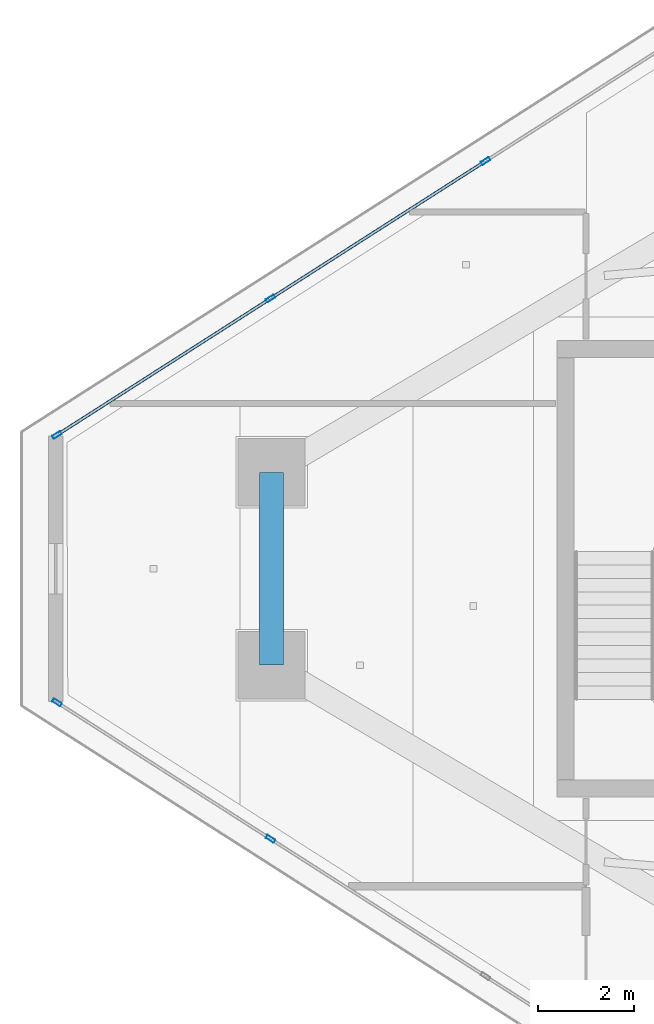
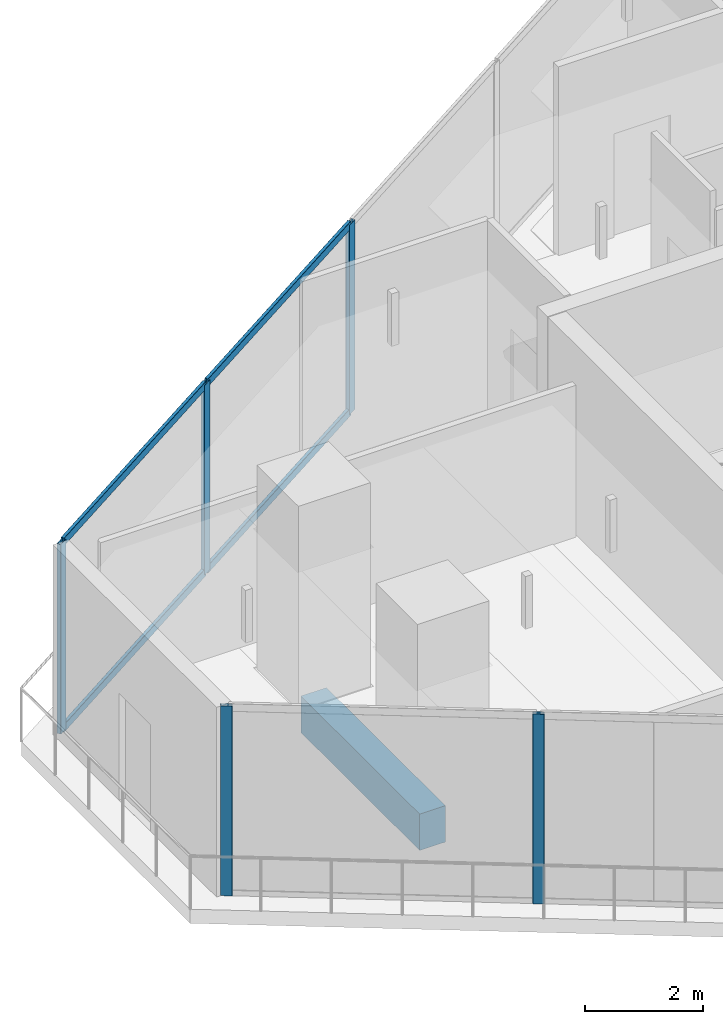
# One storey, part 5 of 25: 9 members, 1 beam, 2 elements without a shape of their own.
"""IFC4 building model written with IfcOpenShell, lengths in metres."""

from ifc_helpers import new_model, si_unit, direction, frame, origin, origin_2d, place, context, subcontext, project, spatial, rectangle, hollow_rectangle, extrude, material, layer, layer_set, material_profile, profile_set, type_object, element, aggregate, save


model = new_model("IFC4")

# Units and contexts
model_context = context("Model", 3, precision=1e-05, world=origin(), true_north=direction((0.0, 1.0)))
body_context = subcontext(model_context, "Body", "Model", "MODEL_VIEW")
ifc_project = project(units=[si_unit("LENGTHUNIT", "METRE"), si_unit("AREAUNIT", "SQUARE_METRE"), si_unit("VOLUMEUNIT", "CUBIC_METRE"), si_unit("PLANEANGLEUNIT", "RADIAN"), si_unit("MASSUNIT", "GRAM", prefix="KILO")], contexts=[model_context])

# Site, building, storey
site_placement = place(None, origin())
site = spatial("IfcSite", under=ifc_project, at=site_placement, CompositionType="ELEMENT")
building_placement = place(site_placement, origin())
building = spatial("IfcBuilding", under=site, at=building_placement, Name="Qorvath Tower", CompositionType="ELEMENT")
storey_placement = place(building_placement, frame((0.0, 0.0, 306.0)))
storey = spatial("IfcBuildingStorey", under=building, at=storey_placement, Name="L71", CompositionType="ELEMENT", Elevation=306.0)

# Beam
ifc_material_1 = material(Name="Concrete C45/55", Category="concrete")
ifc_material_profile_1 = material_profile(ifc_material_1, rectangle(XDim=0.5, YDim=0.75, at=origin_2d()), Name="RCB 750x500")
ifc_profile_set_1 = profile_set([ifc_material_profile_1], Name="Concrete C45/55")
beam_type = type_object("IfcBeamType", Name="BM-RCB3", PredefinedType="SPANDREL", material=ifc_profile_set_1)
beam_placement = place(storey_placement, frame((-44.402587890625, 2.007568359375, -0.6650390625), z_axis=(0.0, -1.0, 0.0), x_axis=(1.0, 0.0, 0.0)))
element("IfcBeam", 1, at=beam_placement, inside=storey, type_object=beam_type, Name="Perimeter Loggia Frame Beam MC1-MC2 L71", PredefinedType="SPANDREL", context=body_context, shape_type="SweptSolid", body=[
    extrude(rectangle(XDim=0.5, YDim=0.75, at=origin_2d()), origin(), (0.0, 0.0, 1.0), 4.01513671875),
])

# Curtain wall, members
ifc_material_2 = material(Name="Anodised aluminium and triple low-E glass", Category="aluminium")
ifc_layer = layer(ifc_material_2, 0.179931640625)
ifc_layer_set = layer_set([ifc_layer], Name="CW-SYS-4")
curtain_wall_type = type_object("IfcCurtainWallType", Name="CW-SYS-4", PredefinedType="NOTDEFINED", material=ifc_layer_set)
curtain_wall_1_placement = place(storey_placement, origin())
curtain_wall_1 = element("IfcCurtainWall", 2, at=curtain_wall_1_placement, inside=storey, type_object=curtain_wall_type, Name="Curtain Wall CW-4 CW-T-L71-2.1", PredefinedType="NOTDEFINED")
ifc_material_3 = material(Name="Anodised aluminium 6063-T6", Category="aluminium")
ifc_material_profile_2 = material_profile(ifc_material_3, hollow_rectangle(XDim=0.074951171875, YDim=0.199951171875, WallThickness=0.00390625, InnerFilletRadius=0.00390625, OuterFilletRadius=0.008056640625, at=origin_2d()), Name="CWM 200x75")
ifc_profile_set_2 = profile_set([ifc_material_profile_2], Name="Anodised aluminium 6063-T6")
member_type_1 = type_object("IfcMemberType", Name="CWM-200", PredefinedType="MULLION", material=ifc_profile_set_2)
member_1_placement = place(storey_placement, frame((-48.868408203125, -2.7841796875, 0.0), z_axis=(0.0, 0.0, 1.0), x_axis=(0.538537259419, 0.842601697255, 0.0)))
member_1 = element("IfcMember", 3, at=member_1_placement, type_object=member_type_1, Name="CW-4 mullion 1", PredefinedType="MULLION", context=body_context, shape_type="SweptSolid", body=[
    extrude(hollow_rectangle(XDim=0.074951171875, YDim=0.199951171875, WallThickness=0.00390625, InnerFilletRadius=0.00390625, OuterFilletRadius=0.008056640625, at=origin_2d()), origin(), (0.0, 0.0, 1.0), 3.909912109375),
])
member_2_placement = place(storey_placement, frame((-44.42431640625, -5.62451171875, 0.0), z_axis=(0.0, 0.0, 1.0), x_axis=(0.538537259419, 0.842601697255, 0.0)))
member_2 = element("IfcMember", 4, at=member_2_placement, type_object=member_type_1, Name="CW-4 mullion 2", PredefinedType="MULLION", context=body_context, shape_type="SweptSolid", body=[
    extrude(hollow_rectangle(XDim=0.074951171875, YDim=0.199951171875, WallThickness=0.00390625, InnerFilletRadius=0.00390625, OuterFilletRadius=0.008056640625, at=origin_2d()), origin(), (0.0, 0.0, 1.0), 3.909912109375),
])
aggregate(curtain_wall_1, [member_1, member_2])

curtain_wall_2_placement = place(storey_placement, origin())
curtain_wall_2 = element("IfcCurtainWall", 5, at=curtain_wall_2_placement, inside=storey, type_object=curtain_wall_type, Name="Curtain Wall CW-4 CW-T-L71-16.2", PredefinedType="NOTDEFINED")
member_3_placement = place(storey_placement, frame((-39.948486328125, 8.485107421875, 0.0), z_axis=(0.0, 0.0, 1.0), x_axis=(0.538537259419, -0.842601697255, 0.0)))
member_3 = element("IfcMember", 6, at=member_3_placement, type_object=member_type_1, Name="CW-4 mullion 3", PredefinedType="MULLION", context=body_context, shape_type="SweptSolid", body=[
    extrude(hollow_rectangle(XDim=0.074951171875, YDim=0.199951171875, WallThickness=0.00390625, InnerFilletRadius=0.00390625, OuterFilletRadius=0.008056640625, at=origin_2d()), origin(), (0.0, 0.0, 1.0), 3.909912109375),
])
member_4_placement = place(storey_placement, frame((-44.42431640625, 5.62451171875, 0.0), z_axis=(0.0, 0.0, 1.0), x_axis=(0.538537259419, -0.842601697255, 0.0)))
member_4 = element("IfcMember", 7, at=member_4_placement, type_object=member_type_1, Name="CW-4 mullion 4", PredefinedType="MULLION", context=body_context, shape_type="SweptSolid", body=[
    extrude(hollow_rectangle(XDim=0.074951171875, YDim=0.199951171875, WallThickness=0.00390625, InnerFilletRadius=0.00390625, OuterFilletRadius=0.008056640625, at=origin_2d()), origin(), (0.0, 0.0, 1.0), 3.909912109375),
])
member_5_placement = place(storey_placement, frame((-48.868408203125, 2.7841796875, 0.0), z_axis=(0.0, 0.0, 1.0), x_axis=(0.538537259419, -0.842601697255, 0.0)))
member_5 = element("IfcMember", 8, at=member_5_placement, type_object=member_type_1, Name="CW-4 mullion 5", PredefinedType="MULLION", context=body_context, shape_type="SweptSolid", body=[
    extrude(hollow_rectangle(XDim=0.074951171875, YDim=0.199951171875, WallThickness=0.00390625, InnerFilletRadius=0.00390625, OuterFilletRadius=0.008056640625, at=origin_2d()), origin(), (0.0, 0.0, 1.0), 3.909912109375),
])
ifc_material_4 = material(Name="Anodised aluminium 6063-T6", Category="aluminium")
ifc_material_profile_3 = material_profile(ifc_material_4, hollow_rectangle(XDim=0.06494140625, YDim=0.159912109375, WallThickness=0.00341796875, InnerFilletRadius=0.00341796875, OuterFilletRadius=0.007080078125, at=origin_2d()), Name="CWT 160x65")
ifc_profile_set_3 = profile_set([ifc_material_profile_3], Name="Anodised aluminium 6063-T6")
member_type_2 = type_object("IfcMemberType", Name="CWT-160", PredefinedType="USERDEFINED", material=ifc_profile_set_3)
member_6_placement = place(storey_placement, frame((-39.980224609375, 8.46484375, 0.032470703125), z_axis=(-0.842582843317, -0.538566757373, 0.0), x_axis=(0.538566757373, -0.842582843317, 0.0)))
member_6 = element("IfcMember", 9, at=member_6_placement, type_object=member_type_2, Name="CW-4 transom 3.1", ObjectType="TRANSOM", PredefinedType="USERDEFINED", context=body_context, shape_type="SweptSolid", body=[
    extrude(hollow_rectangle(XDim=0.06494140625, YDim=0.159912109375, WallThickness=0.00341796875, InnerFilletRadius=0.00341796875, OuterFilletRadius=0.007080078125, at=origin_2d()), origin(), (0.0, 0.0, 1.0), 5.23681640625),
])
member_7_placement = place(storey_placement, frame((-39.980224609375, 8.46484375, 3.87744140625), z_axis=(-0.842582843317, -0.538566757373, 0.0), x_axis=(0.538566757373, -0.842582843317, 0.0)))
member_7 = element("IfcMember", 10, at=member_7_placement, type_object=member_type_2, Name="CW-4 transom 3.2", ObjectType="TRANSOM", PredefinedType="USERDEFINED", context=body_context, shape_type="SweptSolid", body=[
    extrude(hollow_rectangle(XDim=0.06494140625, YDim=0.159912109375, WallThickness=0.00341796875, InnerFilletRadius=0.00341796875, OuterFilletRadius=0.007080078125, at=origin_2d()), origin(), (0.0, 0.0, 1.0), 5.23681640625),
])
member_8_placement = place(storey_placement, frame((-44.455810546875, 5.604248046875, 0.032470703125), z_axis=(-0.842594457649, -0.538548586423, 0.0), x_axis=(0.538548586423, -0.842594457649, 0.0)))
member_8 = element("IfcMember", 11, at=member_8_placement, type_object=member_type_2, Name="CW-4 transom 4.1", ObjectType="TRANSOM", PredefinedType="USERDEFINED", context=body_context, shape_type="SweptSolid", body=[
    extrude(hollow_rectangle(XDim=0.06494140625, YDim=0.159912109375, WallThickness=0.00341796875, InnerFilletRadius=0.00341796875, OuterFilletRadius=0.007080078125, at=origin_2d()), origin(), (0.0, 0.0, 1.0), 5.19921875),
])
member_9_placement = place(storey_placement, frame((-44.455810546875, 5.604248046875, 3.87744140625), z_axis=(-0.842594457649, -0.538548586423, 0.0), x_axis=(0.538548586423, -0.842594457649, 0.0)))
member_9 = element("IfcMember", 12, at=member_9_placement, type_object=member_type_2, Name="CW-4 transom 4.2", ObjectType="TRANSOM", PredefinedType="USERDEFINED", context=body_context, shape_type="SweptSolid", body=[
    extrude(hollow_rectangle(XDim=0.06494140625, YDim=0.159912109375, WallThickness=0.00341796875, InnerFilletRadius=0.00341796875, OuterFilletRadius=0.007080078125, at=origin_2d()), origin(), (0.0, 0.0, 1.0), 5.19921875),
])
aggregate(curtain_wall_2, [member_3, member_4, member_5, member_6, member_7, member_8, member_9])

save(model, "model.ifc")
